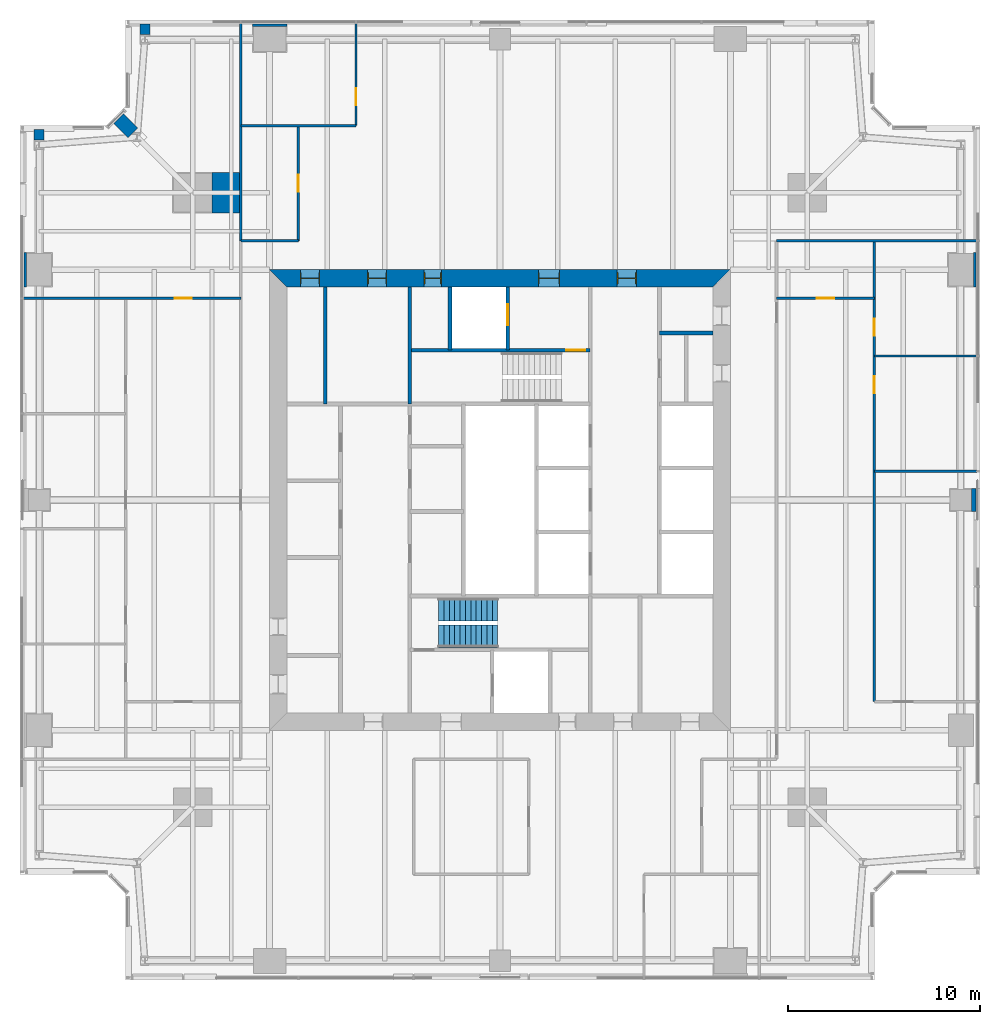
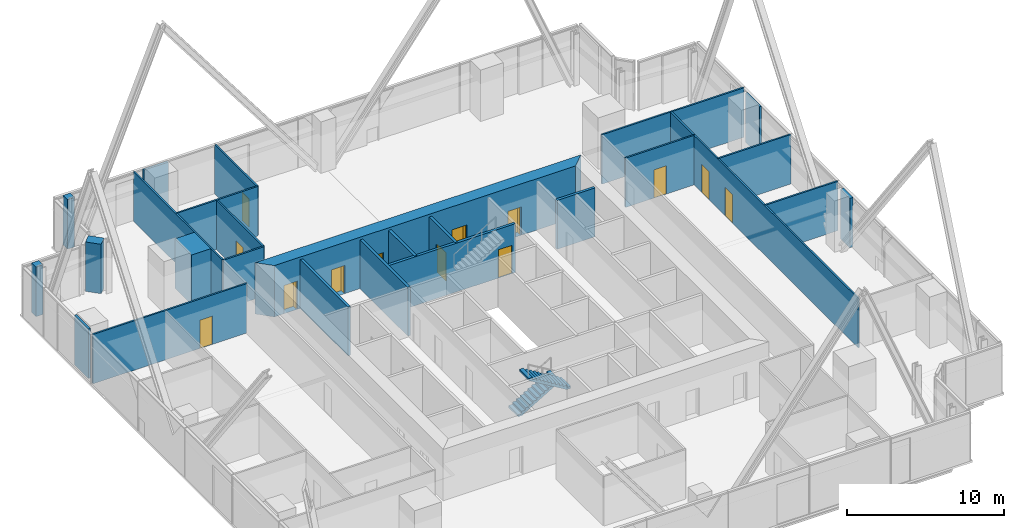
# One storey, part 11 of 14: 26 walls, 13 doors, 2 stair flights, 13 openings, 1 element without a shape of its own.
"""IFC4 building model written with IfcOpenShell, lengths in metres."""

from ifc_helpers import new_model, si_unit, direction, frame, frame_2d, origin, place, context, subcontext, project, spatial, polyline, rectangle, outline, extrude, material, layer, layer_set, type_object, element, fill, aggregate, save


model = new_model("IFC4")

# Units and contexts
model_context = context("Model", 3, precision=1e-05, world=origin(), true_north=direction((0.0, 1.0)))
body_context = subcontext(model_context, "Body", "Model", "MODEL_VIEW")
ifc_project = project(units=[si_unit("LENGTHUNIT", "METRE"), si_unit("AREAUNIT", "SQUARE_METRE"), si_unit("VOLUMEUNIT", "CUBIC_METRE"), si_unit("PLANEANGLEUNIT", "RADIAN"), si_unit("MASSUNIT", "GRAM", prefix="KILO")], contexts=[model_context])

# Site, building, storey
site_placement = place(None, origin())
site = spatial("IfcSite", under=ifc_project, at=site_placement, CompositionType="ELEMENT")
building_placement = place(site_placement, origin())
building = spatial("IfcBuilding", under=site, at=building_placement, Name="Fenwick Lantern Interchange", CompositionType="ELEMENT")
storey_placement = place(building_placement, frame((0.0, 0.0, 217.800048828125)))
storey = spatial("IfcBuildingStorey", under=building, at=storey_placement, Name="L51", CompositionType="ELEMENT", Elevation=217.800048828125)

# Walls
ifc_material_1 = material(Name="Fire-rated gypsum board encasement on steel studs, 2 hour", Category="steel")
ifc_layer_1 = layer(ifc_material_1, 1.199951171875)
ifc_layer_set_1 = layer_set([ifc_layer_1], Name="COLUMN PIER 1200")
wall_type_1 = type_object("IfcWallType", Name="COLUMN PIER 1200", PredefinedType="PARTITIONING", material=ifc_layer_set_1)
wall_1_placement = place(storey_placement, frame((49.800048828125, 25.0, 0.0), z_axis=(0.0, 0.0, 1.0), x_axis=(-1.0, 0.0, 0.0)))
element("IfcWall", 1, at=wall_1_placement, inside=storey, type_object=wall_type_1, Name="L51/W/PIER/CE3", PredefinedType="PARTITIONING", context=body_context, shape_type="SweptSolid", body=[
    extrude(rectangle(XDim=0.25, YDim=1.199951171875, at=frame_2d((0.125, 0.0))), origin(), (0.0, 0.0, 1.0), 3.849853515625),
])
ifc_layer_2 = layer(ifc_material_1, 1.800048828125)
ifc_layer_set_2 = layer_set([ifc_layer_2], Name="COLUMN PIER 1800")
wall_type_2 = type_object("IfcWallType", Name="COLUMN PIER 1800", PredefinedType="PARTITIONING", material=ifc_layer_set_2)
for number, where, z_axis, x_axis, name in (
    (2, (49.800048828125, 37.0, 0.0), (0.0, 0.0, 1.0), (-1.0, 0.0, 0.0), "L51/W/PIER/CE4"),
    (3, (13.0, 49.800048828125, 0.0), (0.0, 0.0, 1.0), (0.0, -1.0, 0.0), "L51/W/PIER/CN4"),
    (4, (0.199951171875, 37.0, 0.0), (0.0, 0.0, 1.0), (1.0, 0.0, 0.0), "L51/W/PIER/CW2"),
):
    element("IfcWall", number, at=place(storey_placement, frame(where, z_axis=z_axis, x_axis=x_axis)), inside=storey, type_object=wall_type_2, Name=name, PredefinedType="PARTITIONING", context=body_context, shape_type="SweptSolid", body=[
        extrude(rectangle(XDim=0.150146484375, YDim=1.800048828125, at=frame_2d((0.0751953125, 0.0))), origin(), (0.0, 0.0, 1.0), 3.849853515625),
    ])
ifc_layer_3 = layer(ifc_material_1, 2.10009765625)
ifc_layer_set_3 = layer_set([ifc_layer_3], Name="COLUMN PIER 2100")
wall_type_3 = type_object("IfcWallType", Name="COLUMN PIER 2100", PredefinedType="PARTITIONING", material=ifc_layer_set_3)
wall_2_placement = place(storey_placement, frame((11.4375, 41.0, 0.0), z_axis=(0.0, 0.0, 1.0), x_axis=(-1.0, 0.0, 0.0)))
element("IfcWall", 5, at=wall_2_placement, inside=storey, type_object=wall_type_3, Name="L51/W/PIER/M4", PredefinedType="PARTITIONING", context=body_context, shape_type="SweptSolid", body=[
    extrude(rectangle(XDim=1.4375, YDim=2.10009765625, at=frame_2d((0.71875, 0.0))), origin(), (0.0, 0.0, 1.0), 3.849853515625),
])
ifc_layer_4 = layer(ifc_material_1, 0.52392578125)
ifc_layer_set_4 = layer_set([ifc_layer_4], Name="COLUMN PIER 524")
wall_type_4 = type_object("IfcWallType", Name="COLUMN PIER 524", PredefinedType="PARTITIONING", material=ifc_layer_set_4)
for number, where, z_axis, x_axis, name in (
    (6, (6.5, 49.800048828125, 0.0), (0.0, 0.0, 1.0), (0.0, -1.0, 0.0), "L51/W/PIER/CN5"),
    (7, (1.0, 44.300048828125, 0.0), (0.0, 0.0, 1.0), (0.0, -1.0, 0.0), "L51/W/PIER/CW1"),
):
    element("IfcWall", number, at=place(storey_placement, frame(where, z_axis=z_axis, x_axis=x_axis)), inside=storey, type_object=wall_type_4, Name=name, PredefinedType="PARTITIONING", context=body_context, shape_type="SweptSolid", body=[
        extrude(rectangle(XDim=0.5625, YDim=0.52392578125, at=frame_2d((0.28125, 0.0))), origin(), (0.0, 0.0, 1.0), 3.849853515625),
    ])
ifc_layer_5 = layer(ifc_material_1, 0.736083984375)
ifc_layer_set_5 = layer_set([ifc_layer_5], Name="COLUMN PIER 736")
wall_type_5 = type_object("IfcWallType", Name="COLUMN PIER 736", PredefinedType="PARTITIONING", material=ifc_layer_set_5)
wall_3_placement = place(storey_placement, frame((5.141357421875, 44.858642578125, 0.0), z_axis=(0.0, 0.0, 1.0), x_axis=(0.707106781187, -0.707106781187, 0.0)))
element("IfcWall", 8, at=wall_3_placement, inside=storey, type_object=wall_type_5, Name="L51/W/PIER/CNR", PredefinedType="PARTITIONING", context=body_context, shape_type="SweptSolid", body=[
    extrude(rectangle(XDim=1.037841796875, YDim=0.736083984375, at=frame_2d((0.51904296875, 0.0))), origin(), (0.0, 0.0, 1.0), 3.849853515625),
])

# Wall, opening, door
ifc_material_2 = material(Name="Concrete masonry ASTM C90 Grade N", Category="masonry")
ifc_layer_6 = layer(ifc_material_2, 0.199951171875)
ifc_layer_set_6 = layer_set([ifc_layer_6], Name="Concrete masonry ASTM C90 Grade N")
wall_type_6 = type_object("IfcWallType", Name="CORE PARTITION 200", PredefinedType="PARTITIONING", material=ifc_layer_set_6)
wall_4_placement = place(storey_placement, frame((25.39990234375, 36.10009765625, 0.0), z_axis=(0.0, 0.0, 1.0), x_axis=(0.0, -1.0, 0.0)))
wall_4 = element("IfcWall", 9, at=wall_4_placement, inside=storey, type_object=wall_type_6, Name="L51/W/COREN/h1", PredefinedType="PARTITIONING", context=body_context, shape_type="SweptSolid", body=[
    extrude(rectangle(XDim=3.300048828125, YDim=0.199951171875, at=frame_2d((1.64990234375, 0.0))), origin(), (0.0, 0.0, 1.0), 3.800048828125),
])
opening_1_placement = place(wall_4_placement, frame((0.89990234375, 0.0, 0.0)))
opening_1 = element("IfcOpeningElement", 10, at=opening_1_placement, cuts=wall_4, Name="Opening LD-FL2", PredefinedType="OPENING", context=body_context, shape_type="SweptSolid", body=[
    extrude(rectangle(XDim=1.10009765625, YDim=2.199951171875, at=frame_2d((0.550048828125, 1.10009765625))), frame((0.0, 0.10986328125, 0.0), z_axis=(0.0, -1.0, 0.0), x_axis=(1.0, 0.0, 0.0)), (0.0, 0.0, 1.0), 0.219970703125),
])
ifc_material_3 = material(Name="Steel door and frame", Category="steel")
door_type_1 = type_object("IfcDoorType", Name="LIFT LANDING DOOR 1100 X 2200", OperationType="DOUBLE_DOOR_SLIDING", PredefinedType="DOOR", material=ifc_material_3)
door_1_placement = place(opening_1_placement, origin())
door_1 = element("IfcDoor", 11, at=door_1_placement, inside=storey, type_object=door_type_1, Name="Lift landing door FL2", OperationType="DOUBLE_DOOR_SLIDING", OverallHeight=2.199951171875, OverallWidth=1.10009765625, PredefinedType="DOOR", context=body_context, shape_type="SweptSolid", body=[
    extrude(rectangle(XDim=1.10009765625, YDim=2.199951171875, at=frame_2d((0.550048828125, 1.10009765625))), frame((0.0, 0.02490234375, 0.0), z_axis=(0.0, -1.0, 0.0), x_axis=(1.0, 0.0, 0.0)), (0.0, 0.0, 1.0), 0.050048828125),
])
fill(opening_1, door_1)

# Walls
wall_5_placement = place(storey_placement, frame((22.39990234375, 36.10009765625, 0.0), z_axis=(0.0, 0.0, 1.0), x_axis=(0.0, -1.0, 0.0)))
element("IfcWall", 12, at=wall_5_placement, inside=storey, type_object=wall_type_6, Name="L51/W/COREN/h2", PredefinedType="PARTITIONING", context=body_context, shape_type="SweptSolid", body=[
    extrude(rectangle(XDim=3.300048828125, YDim=0.199951171875, at=frame_2d((1.64990234375, 0.0))), origin(), (0.0, 0.0, 1.0), 3.800048828125),
])
wall_6_placement = place(storey_placement, frame((15.89990234375, 36.10009765625, 0.0), z_axis=(0.0, 0.0, 1.0), x_axis=(0.0, -1.0, 0.0)))
element("IfcWall", 13, at=wall_6_placement, inside=storey, type_object=wall_type_6, Name="L51/W/COREN/i2", PredefinedType="PARTITIONING", context=body_context, shape_type="SweptSolid", body=[
    extrude(rectangle(XDim=6.10009765625, YDim=0.199951171875, at=frame_2d((3.050048828125, 0.0))), origin(), (0.0, 0.0, 1.0), 3.800048828125),
])
wall_7_placement = place(storey_placement, frame((36.10009765625, 33.699951171875, 0.0), z_axis=(0.0, 0.0, 1.0), x_axis=(-1.0, 0.0, 0.0)))
element("IfcWall", 14, at=wall_7_placement, inside=storey, type_object=wall_type_6, Name="L51/W/COREN/p1", PredefinedType="PARTITIONING", context=body_context, shape_type="SweptSolid", body=[
    extrude(rectangle(XDim=2.800048828125, YDim=0.199951171875, at=frame_2d((1.39990234375, 0.0))), origin(), (0.0, 0.0, 1.0), 3.800048828125),
])

# Wall, openings, doors
ifc_material_4 = material(Name="Concrete f'c 70 MPa", Category="concrete")
ifc_layer_7 = layer(ifc_material_4, 0.89990234375)
ifc_layer_set_7 = layer_set([ifc_layer_7], Name="CORE WALL 900")
wall_type_7 = type_object("IfcWallType", Name="CORE WALL 900", PredefinedType="SHEAR", material=ifc_layer_set_7)
wall_8_placement = place(storey_placement, frame((37.0, 36.550048828125, 0.0), z_axis=(0.0, 0.0, 1.0), x_axis=(-1.0, 0.0, 0.0)))
wall_8 = element("IfcWall", 15, at=wall_8_placement, inside=storey, type_object=wall_type_7, Name="L51/CORE/N", PredefinedType="SHEAR", context=body_context, shape_type="SweptSolid", body=[
    extrude(outline(polyline([(0.0, -0.449951171875), (24.0, -0.449951171875), (23.10009765625, 0.449951171875), (0.89990234375, 0.449951171875), (0.0, -0.449951171875)])), origin(), (0.0, 0.0, 1.0), 4.0),
])
opening_2_placement = place(wall_8_placement, frame((4.89990234375, 0.0, 0.0)))
opening_2 = element("IfcOpeningElement", 16, at=opening_2_placement, cuts=wall_8, Name="Opening L51-D014", PredefinedType="OPENING", context=body_context, shape_type="SweptSolid", body=[
    extrude(rectangle(XDim=1.0, YDim=2.199951171875, at=frame_2d((0.5, 1.10009765625))), frame((0.0, 0.4599609375, 0.0), z_axis=(0.0, -1.0, 0.0), x_axis=(1.0, 0.0, 0.0)), (0.0, 0.0, 1.0), 0.919921875),
])
opening_3_placement = place(wall_8_placement, frame((8.89990234375, 0.0, 0.0)))
opening_3 = element("IfcOpeningElement", 17, at=opening_3_placement, cuts=wall_8, Name="Opening L51-D015", PredefinedType="OPENING", context=body_context, shape_type="SweptSolid", body=[
    extrude(rectangle(XDim=1.10009765625, YDim=2.199951171875, at=frame_2d((0.550048828125, 1.10009765625))), frame((0.0, 0.4599609375, 0.0), z_axis=(0.0, -1.0, 0.0), x_axis=(1.0, 0.0, 0.0)), (0.0, 0.0, 1.0), 0.919921875),
])
opening_4_placement = place(wall_8_placement, frame((15.050048828125, 0.0, 0.0)))
opening_4 = element("IfcOpeningElement", 18, at=opening_4_placement, cuts=wall_8, Name="Opening L51-D017", PredefinedType="OPENING", context=body_context, shape_type="SweptSolid", body=[
    extrude(rectangle(XDim=0.89990234375, YDim=2.199951171875, at=frame_2d((0.449951171875, 1.10009765625))), frame((0.0, 0.4599609375, 0.0), z_axis=(0.0, -1.0, 0.0), x_axis=(1.0, 0.0, 0.0)), (0.0, 0.0, 1.0), 0.919921875),
])
opening_5_placement = place(wall_8_placement, frame((17.89990234375, 0.0, 0.0)))
opening_5 = element("IfcOpeningElement", 19, at=opening_5_placement, cuts=wall_8, Name="Opening L51-D018", PredefinedType="OPENING", context=body_context, shape_type="SweptSolid", body=[
    extrude(rectangle(XDim=1.0, YDim=2.199951171875, at=frame_2d((0.5, 1.10009765625))), frame((0.0, 0.4599609375, 0.0), z_axis=(0.0, -1.0, 0.0), x_axis=(1.0, 0.0, 0.0)), (0.0, 0.0, 1.0), 0.919921875),
])
opening_6_placement = place(wall_8_placement, frame((21.39990234375, 0.0, 0.0)))
opening_6 = element("IfcOpeningElement", 20, at=opening_6_placement, cuts=wall_8, Name="Opening L51-D019", PredefinedType="OPENING", context=body_context, shape_type="SweptSolid", body=[
    extrude(rectangle(XDim=1.0, YDim=2.199951171875, at=frame_2d((0.5, 1.10009765625))), frame((0.0, 0.4599609375, 0.0), z_axis=(0.0, -1.0, 0.0), x_axis=(1.0, 0.0, 0.0)), (0.0, 0.0, 1.0), 0.919921875),
])
door_type_2 = type_object("IfcDoorType", Name="CORE LOBBY DOOR 1000 X 2200", OperationType="SINGLE_SWING_LEFT", PredefinedType="DOOR", material=ifc_material_3)
door_2_placement = place(opening_2_placement, frame((1.0, 0.0, 0.0), z_axis=(0.0, 0.0, 1.0), x_axis=(-1.0, 0.0, 0.0)))
door_2 = element("IfcDoor", 21, at=door_2_placement, inside=storey, type_object=door_type_2, Name="Core lobby door", OperationType="SINGLE_SWING_RIGHT", OverallHeight=2.199951171875, OverallWidth=1.0, PredefinedType="DOOR", context=body_context, shape_type="SweptSolid", body=[
    extrude(rectangle(XDim=1.0, YDim=2.199951171875, at=frame_2d((0.5, 1.10009765625))), frame((0.0, 0.02490234375, 0.0), z_axis=(0.0, -1.0, 0.0), x_axis=(1.0, 0.0, 0.0)), (0.0, 0.0, 1.0), 0.050048828125),
    extrude(outline(polyline([(0.0, 0.0), (0.0400390625, 0.0), (0.0400390625, 2.159912109375), (0.9599609375, 2.159912109375), (0.9599609375, 0.0), (1.0, 0.0), (1.0, 2.199951171875), (0.0, 2.199951171875), (0.0, 0.0)])), frame((0.0, 0.300048828125, 0.0), z_axis=(0.0, -1.0, 0.0), x_axis=(1.0, 0.0, 0.0)), (0.0, 0.0, 1.0), 0.60009765625),
])
fill(opening_2, door_2)
door_type_3 = type_object("IfcDoorType", Name="FIRE LOBBY DOOR 1100 X 2200", OperationType="SINGLE_SWING_LEFT", PredefinedType="DOOR", material=ifc_material_3)
door_3_placement = place(opening_3_placement, origin())
door_3 = element("IfcDoor", 22, at=door_3_placement, inside=storey, type_object=door_type_3, Name="Fire lobby door", OperationType="SINGLE_SWING_LEFT", OverallHeight=2.199951171875, OverallWidth=1.10009765625, PredefinedType="DOOR", context=body_context, shape_type="SweptSolid", body=[
    extrude(rectangle(XDim=1.10009765625, YDim=2.199951171875, at=frame_2d((0.550048828125, 1.10009765625))), frame((0.0, 0.02490234375, 0.0), z_axis=(0.0, -1.0, 0.0), x_axis=(1.0, 0.0, 0.0)), (0.0, 0.0, 1.0), 0.050048828125),
    extrude(outline(polyline([(0.0, 0.0), (0.0400390625, 0.0), (0.0400390625, 2.159912109375), (1.06005859375, 2.159912109375), (1.06005859375, 0.0), (1.10009765625, 0.0), (1.10009765625, 2.199951171875), (0.0, 2.199951171875), (0.0, 0.0)])), frame((0.0, 0.300048828125, 0.0), z_axis=(0.0, -1.0, 0.0), x_axis=(1.0, 0.0, 0.0)), (0.0, 0.0, 1.0), 0.60009765625),
])
fill(opening_3, door_3)
door_type_4 = type_object("IfcDoorType", Name="SERVICE DOOR 900 X 2200", OperationType="SINGLE_SWING_LEFT", PredefinedType="DOOR", material=ifc_material_3)
door_4_placement = place(opening_4_placement, origin())
door_4 = element("IfcDoor", 23, at=door_4_placement, inside=storey, type_object=door_type_4, Name="Service door", OperationType="SINGLE_SWING_LEFT", OverallHeight=2.199951171875, OverallWidth=0.89990234375, PredefinedType="DOOR", context=body_context, shape_type="SweptSolid", body=[
    extrude(rectangle(XDim=0.89990234375, YDim=2.199951171875, at=frame_2d((0.449951171875, 1.10009765625))), frame((0.0, 0.02490234375, 0.0), z_axis=(0.0, -1.0, 0.0), x_axis=(1.0, 0.0, 0.0)), (0.0, 0.0, 1.0), 0.050048828125),
    extrude(outline(polyline([(0.0, 0.0), (0.0400390625, 0.0), (0.0400390625, 2.159912109375), (0.85986328125, 2.159912109375), (0.85986328125, 0.0), (0.89990234375, 0.0), (0.89990234375, 2.199951171875), (0.0, 2.199951171875), (0.0, 0.0)])), frame((0.0, 0.300048828125, 0.0), z_axis=(0.0, -1.0, 0.0), x_axis=(1.0, 0.0, 0.0)), (0.0, 0.0, 1.0), 0.60009765625),
])
fill(opening_4, door_4)
ifc_material_5 = material(Name="Hardwood door and steel frame", Category="steel")
door_type_5 = type_object("IfcDoorType", Name="WC DOOR 1000 X 2200", OperationType="SINGLE_SWING_LEFT", PredefinedType="DOOR", material=ifc_material_5)
door_5_placement = place(opening_5_placement, origin())
door_5 = element("IfcDoor", 24, at=door_5_placement, inside=storey, type_object=door_type_5, Name="Wc door", OperationType="SINGLE_SWING_LEFT", OverallHeight=2.199951171875, OverallWidth=1.0, PredefinedType="DOOR", context=body_context, shape_type="SweptSolid", body=[
    extrude(rectangle(XDim=1.0, YDim=2.199951171875, at=frame_2d((0.5, 1.10009765625))), frame((0.0, 0.02490234375, 0.0), z_axis=(0.0, -1.0, 0.0), x_axis=(1.0, 0.0, 0.0)), (0.0, 0.0, 1.0), 0.050048828125),
    extrude(outline(polyline([(0.0, 0.0), (0.0400390625, 0.0), (0.0400390625, 2.159912109375), (0.9599609375, 2.159912109375), (0.9599609375, 0.0), (1.0, 0.0), (1.0, 2.199951171875), (0.0, 2.199951171875), (0.0, 0.0)])), frame((0.0, 0.300048828125, 0.0), z_axis=(0.0, -1.0, 0.0), x_axis=(1.0, 0.0, 0.0)), (0.0, 0.0, 1.0), 0.60009765625),
])
fill(opening_5, door_5)
door_6_placement = place(opening_6_placement, origin())
door_6 = element("IfcDoor", 25, at=door_6_placement, inside=storey, type_object=door_type_5, Name="Wc door", OperationType="SINGLE_SWING_LEFT", OverallHeight=2.199951171875, OverallWidth=1.0, PredefinedType="DOOR", context=body_context, shape_type="SweptSolid", body=[
    extrude(rectangle(XDim=1.0, YDim=2.199951171875, at=frame_2d((0.5, 1.10009765625))), frame((0.0, 0.02490234375, 0.0), z_axis=(0.0, -1.0, 0.0), x_axis=(1.0, 0.0, 0.0)), (0.0, 0.0, 1.0), 0.050048828125),
    extrude(outline(polyline([(0.0, 0.0), (0.0400390625, 0.0), (0.0400390625, 2.159912109375), (0.9599609375, 2.159912109375), (0.9599609375, 0.0), (1.0, 0.0), (1.0, 2.199951171875), (0.0, 2.199951171875), (0.0, 0.0)])), frame((0.0, 0.300048828125, 0.0), z_axis=(0.0, -1.0, 0.0), x_axis=(1.0, 0.0, 0.0)), (0.0, 0.0, 1.0), 0.60009765625),
])
fill(opening_6, door_6)

# Walls
ifc_material_6 = material(Name="Gypsum board on steel studs, acoustic", Category="steel")
ifc_layer_8 = layer(ifc_material_6, 0.125)
ifc_layer_set_8 = layer_set([ifc_layer_8], Name="OFFICE PARTITION 125")
wall_type_8 = type_object("IfcWallType", Name="OFFICE PARTITION 125", PredefinedType="PARTITIONING", material=ifc_layer_set_8)
for number, where, z_axis, x_axis, name in (
    (26, (49.85009765625, 26.5, 0.0), (0.0, 0.0, 1.0), (-1.0, 0.0, 0.0), "L51/W/OFF/E/X265-1"),
    (27, (49.85009765625, 32.5, 0.0), (0.0, 0.0, 1.0), (-1.0, 0.0, 0.0), "L51/W/OFF/E/X325-1"),
):
    element("IfcWall", number, at=place(storey_placement, frame(where, z_axis=z_axis, x_axis=x_axis)), inside=storey, type_object=wall_type_8, Name=name, PredefinedType="PARTITIONING", context=body_context, shape_type="SweptSolid", body=[
        extrude(rectangle(XDim=5.35009765625, YDim=0.125, at=frame_2d((2.675048828125, 0.0))), origin(), (0.0, 0.0, 1.0), 3.849853515625),
    ])

# Wall, opening, door
wall_9_placement = place(storey_placement, frame((44.5, 35.5, 0.0), z_axis=(0.0, 0.0, 1.0), x_axis=(-1.0, 0.0, 0.0)))
wall_9 = element("IfcWall", 28, at=wall_9_placement, inside=storey, type_object=wall_type_8, Name="L51/W/OFF/E/X355-1", PredefinedType="PARTITIONING", context=body_context, shape_type="SweptSolid", body=[
    extrude(rectangle(XDim=5.10009765625, YDim=0.125, at=frame_2d((2.550048828125, 0.0))), origin(), (0.0, 0.0, 1.0), 3.849853515625),
])
opening_7_placement = place(wall_9_placement, frame((2.10009765625, 0.0, 0.0)))
opening_7 = element("IfcOpeningElement", 29, at=opening_7_placement, cuts=wall_9, Name="Opening L51-D031", PredefinedType="OPENING", context=body_context, shape_type="SweptSolid", body=[
    extrude(rectangle(XDim=0.89990234375, YDim=2.199951171875, at=frame_2d((0.449951171875, 1.10009765625))), frame((0.0, 0.072509765625, 0.0), z_axis=(0.0, -1.0, 0.0), x_axis=(1.0, 0.0, 0.0)), (0.0, 0.0, 1.0), 0.14501953125),
])
door_type_6 = type_object("IfcDoorType", Name="OFFICE DOOR 900 X 2200", OperationType="SINGLE_SWING_LEFT", PredefinedType="DOOR", material=ifc_material_5)
door_7_placement = place(opening_7_placement, frame((0.89990234375, 0.0, 0.0), z_axis=(0.0, 0.0, 1.0), x_axis=(-1.0, 0.0, 0.0)))
door_7 = element("IfcDoor", 30, at=door_7_placement, inside=storey, type_object=door_type_6, Name="Office door", OperationType="SINGLE_SWING_RIGHT", OverallHeight=2.199951171875, OverallWidth=0.89990234375, PredefinedType="DOOR", context=body_context, shape_type="SweptSolid", body=[
    extrude(rectangle(XDim=0.89990234375, YDim=2.199951171875, at=frame_2d((0.449951171875, 1.10009765625))), frame((0.0, 0.02490234375, 0.0), z_axis=(0.0, -1.0, 0.0), x_axis=(1.0, 0.0, 0.0)), (0.0, 0.0, 1.0), 0.050048828125),
])
fill(opening_7, door_7)

# Wall, openings, doors
wall_10_placement = place(storey_placement, frame((44.5, 14.5, 0.0), z_axis=(0.0, 0.0, 1.0), x_axis=(0.0, 1.0, 0.0)))
wall_10 = element("IfcWall", 31, at=wall_10_placement, inside=storey, type_object=wall_type_8, Name="L51/W/OFF/E/Y55-1", PredefinedType="PARTITIONING", context=body_context, shape_type="SweptSolid", body=[
    extrude(rectangle(XDim=24.0, YDim=0.125, at=frame_2d((12.0, 0.0))), origin(), (0.0, 0.0, 1.0), 3.849853515625),
])
opening_8_placement = place(wall_10_placement, frame((16.050048828125, 0.0, 0.0)))
opening_8 = element("IfcOpeningElement", 32, at=opening_8_placement, cuts=wall_10, Name="Opening L51-D029", PredefinedType="OPENING", context=body_context, shape_type="SweptSolid", body=[
    extrude(rectangle(XDim=0.89990234375, YDim=2.199951171875, at=frame_2d((0.449951171875, 1.10009765625))), frame((0.0, 0.072509765625, 0.0), z_axis=(0.0, -1.0, 0.0), x_axis=(1.0, 0.0, 0.0)), (0.0, 0.0, 1.0), 0.14501953125),
])
opening_9_placement = place(wall_10_placement, frame((19.050048828125, 0.0, 0.0)))
opening_9 = element("IfcOpeningElement", 33, at=opening_9_placement, cuts=wall_10, Name="Opening L51-D030", PredefinedType="OPENING", context=body_context, shape_type="SweptSolid", body=[
    extrude(rectangle(XDim=0.89990234375, YDim=2.199951171875, at=frame_2d((0.449951171875, 1.10009765625))), frame((0.0, 0.072509765625, 0.0), z_axis=(0.0, -1.0, 0.0), x_axis=(1.0, 0.0, 0.0)), (0.0, 0.0, 1.0), 0.14501953125),
])
door_8_placement = place(opening_8_placement, frame((0.89990234375, 0.0, 0.0), z_axis=(0.0, 0.0, 1.0), x_axis=(-1.0, 0.0, 0.0)))
door_8 = element("IfcDoor", 34, at=door_8_placement, inside=storey, type_object=door_type_6, Name="Office door", OperationType="SINGLE_SWING_LEFT", OverallHeight=2.199951171875, OverallWidth=0.89990234375, PredefinedType="DOOR", context=body_context, shape_type="SweptSolid", body=[
    extrude(rectangle(XDim=0.89990234375, YDim=2.199951171875, at=frame_2d((0.449951171875, 1.10009765625))), frame((0.0, 0.02490234375, 0.0), z_axis=(0.0, -1.0, 0.0), x_axis=(1.0, 0.0, 0.0)), (0.0, 0.0, 1.0), 0.050048828125),
])
fill(opening_8, door_8)
door_9_placement = place(opening_9_placement, frame((0.89990234375, 0.0, 0.0), z_axis=(0.0, 0.0, 1.0), x_axis=(-1.0, 0.0, 0.0)))
door_9 = element("IfcDoor", 35, at=door_9_placement, inside=storey, type_object=door_type_6, Name="Office door", OperationType="SINGLE_SWING_RIGHT", OverallHeight=2.199951171875, OverallWidth=0.89990234375, PredefinedType="DOOR", context=body_context, shape_type="SweptSolid", body=[
    extrude(rectangle(XDim=0.89990234375, YDim=2.199951171875, at=frame_2d((0.449951171875, 1.10009765625))), frame((0.0, 0.02490234375, 0.0), z_axis=(0.0, -1.0, 0.0), x_axis=(1.0, 0.0, 0.0)), (0.0, 0.0, 1.0), 0.050048828125),
])
fill(opening_9, door_9)

# Wall
wall_11_placement = place(storey_placement, frame((49.85009765625, 38.5, 0.0), z_axis=(0.0, 0.0, 1.0), x_axis=(-1.0, 0.0, 0.0)))
element("IfcWall", 36, at=wall_11_placement, inside=storey, type_object=wall_type_8, Name="L51/W/OFF/N/BACK", PredefinedType="PARTITIONING", context=body_context, shape_type="SweptSolid", body=[
    extrude(rectangle(XDim=10.4501953125, YDim=0.125, at=frame_2d((5.22509765625, 0.0))), origin(), (0.0, 0.0, 1.0), 3.849853515625),
])

# Wall, opening, door
wall_12_placement = place(storey_placement, frame((17.5, 49.85009765625, 0.0), z_axis=(0.0, 0.0, 1.0), x_axis=(0.0, -1.0, 0.0)))
wall_12 = element("IfcWall", 37, at=wall_12_placement, inside=storey, type_object=wall_type_8, Name="L51/W/OFF/N/X325-1", PredefinedType="PARTITIONING", context=body_context, shape_type="SweptSolid", body=[
    extrude(rectangle(XDim=5.35009765625, YDim=0.125, at=frame_2d((2.675048828125, 0.0))), origin(), (0.0, 0.0, 1.0), 3.849853515625),
])
opening_10_placement = place(wall_12_placement, frame((3.39990234375, 0.0, 0.0)))
opening_10 = element("IfcOpeningElement", 38, at=opening_10_placement, cuts=wall_12, Name="Opening L51-D032", PredefinedType="OPENING", context=body_context, shape_type="SweptSolid", body=[
    extrude(rectangle(XDim=0.89990234375, YDim=2.199951171875, at=frame_2d((0.449951171875, 1.10009765625))), frame((0.0, 0.072509765625, 0.0), z_axis=(0.0, -1.0, 0.0), x_axis=(1.0, 0.0, 0.0)), (0.0, 0.0, 1.0), 0.14501953125),
])
door_10_placement = place(opening_10_placement, frame((0.89990234375, 0.0, 0.0), z_axis=(0.0, 0.0, 1.0), x_axis=(-1.0, 0.0, 0.0)))
door_10 = element("IfcDoor", 39, at=door_10_placement, inside=storey, type_object=door_type_6, Name="Office door", OperationType="SINGLE_SWING_LEFT", OverallHeight=2.199951171875, OverallWidth=0.89990234375, PredefinedType="DOOR", context=body_context, shape_type="SweptSolid", body=[
    extrude(rectangle(XDim=0.89990234375, YDim=2.199951171875, at=frame_2d((0.449951171875, 1.10009765625))), frame((0.0, 0.02490234375, 0.0), z_axis=(0.0, -1.0, 0.0), x_axis=(1.0, 0.0, 0.0)), (0.0, 0.0, 1.0), 0.050048828125),
])
fill(opening_10, door_10)

wall_13_placement = place(storey_placement, frame((14.5, 44.5, 0.0), z_axis=(0.0, 0.0, 1.0), x_axis=(0.0, -1.0, 0.0)))
wall_13 = element("IfcWall", 40, at=wall_13_placement, inside=storey, type_object=wall_type_8, Name="L51/W/OFF/N/X355-1", PredefinedType="PARTITIONING", context=body_context, shape_type="SweptSolid", body=[
    extrude(rectangle(XDim=6.0, YDim=0.125, at=frame_2d((3.0, 0.0))), origin(), (0.0, 0.0, 1.0), 3.849853515625),
])
opening_11_placement = place(wall_13_placement, frame((2.550048828125, 0.0, 0.0)))
opening_11 = element("IfcOpeningElement", 41, at=opening_11_placement, cuts=wall_13, Name="Opening L51-D033", PredefinedType="OPENING", context=body_context, shape_type="SweptSolid", body=[
    extrude(rectangle(XDim=0.89990234375, YDim=2.199951171875, at=frame_2d((0.449951171875, 1.10009765625))), frame((0.0, 0.072509765625, 0.0), z_axis=(0.0, -1.0, 0.0), x_axis=(1.0, 0.0, 0.0)), (0.0, 0.0, 1.0), 0.14501953125),
])
door_11_placement = place(opening_11_placement, frame((0.89990234375, 0.0, 0.0), z_axis=(0.0, 0.0, 1.0), x_axis=(-1.0, 0.0, 0.0)))
door_11 = element("IfcDoor", 42, at=door_11_placement, inside=storey, type_object=door_type_6, Name="Office door", OperationType="SINGLE_SWING_RIGHT", OverallHeight=2.199951171875, OverallWidth=0.89990234375, PredefinedType="DOOR", context=body_context, shape_type="SweptSolid", body=[
    extrude(rectangle(XDim=0.89990234375, YDim=2.199951171875, at=frame_2d((0.449951171875, 1.10009765625))), frame((0.0, 0.02490234375, 0.0), z_axis=(0.0, -1.0, 0.0), x_axis=(1.0, 0.0, 0.0)), (0.0, 0.0, 1.0), 0.050048828125),
])
fill(opening_11, door_11)

# Walls
wall_14_placement = place(storey_placement, frame((17.5, 44.5, 0.0), z_axis=(0.0, 0.0, 1.0), x_axis=(-1.0, 0.0, 0.0)))
element("IfcWall", 43, at=wall_14_placement, inside=storey, type_object=wall_type_8, Name="L51/W/OFF/N/Y55-1", PredefinedType="PARTITIONING", context=body_context, shape_type="SweptSolid", body=[
    extrude(rectangle(XDim=6.0, YDim=0.125, at=frame_2d((3.0, 0.0))), origin(), (0.0, 0.0, 1.0), 3.849853515625),
])
wall_15_placement = place(storey_placement, frame((14.5, 38.5, 0.0), z_axis=(0.0, 0.0, 1.0), x_axis=(-1.0, 0.0, 0.0)))
element("IfcWall", 44, at=wall_15_placement, inside=storey, type_object=wall_type_8, Name="L51/W/OFF/N/CWS1", PredefinedType="PARTITIONING", context=body_context, shape_type="SweptSolid", body=[
    extrude(rectangle(XDim=3.0, YDim=0.125, at=frame_2d((1.5, 0.0))), origin(), (0.0, 0.0, 1.0), 3.849853515625),
])
wall_16_placement = place(storey_placement, frame((11.5, 49.85009765625, 0.0), z_axis=(0.0, 0.0, 1.0), x_axis=(0.0, -1.0, 0.0)))
element("IfcWall", 45, at=wall_16_placement, inside=storey, type_object=wall_type_8, Name="L51/W/OFF/W/BACK", PredefinedType="PARTITIONING", context=body_context, shape_type="SweptSolid", body=[
    extrude(rectangle(XDim=11.35009765625, YDim=0.125, at=frame_2d((5.675048828125, 0.0))), origin(), (0.0, 0.0, 1.0), 3.849853515625),
])

# Wall, opening, door
wall_17_placement = place(storey_placement, frame((0.14990234375, 35.5, 0.0), z_axis=(0.0, 0.0, 1.0), x_axis=(1.0, 0.0, 0.0)))
wall_17 = element("IfcWall", 46, at=wall_17_placement, inside=storey, type_object=wall_type_8, Name="L51/W/OFF/W/X145-1", PredefinedType="PARTITIONING", context=body_context, shape_type="SweptSolid", body=[
    extrude(rectangle(XDim=11.35009765625, YDim=0.125, at=frame_2d((5.675048828125, 0.0))), origin(), (0.0, 0.0, 1.0), 3.849853515625),
])
opening_12_placement = place(wall_17_placement, frame((7.89990234375, 0.0, 0.0)))
opening_12 = element("IfcOpeningElement", 47, at=opening_12_placement, cuts=wall_17, Name="Opening L51-D035", PredefinedType="OPENING", context=body_context, shape_type="SweptSolid", body=[
    extrude(rectangle(XDim=0.89990234375, YDim=2.199951171875, at=frame_2d((0.449951171875, 1.10009765625))), frame((0.0, 0.072509765625, 0.0), z_axis=(0.0, -1.0, 0.0), x_axis=(1.0, 0.0, 0.0)), (0.0, 0.0, 1.0), 0.14501953125),
])
door_12_placement = place(opening_12_placement, origin())
door_12 = element("IfcDoor", 48, at=door_12_placement, inside=storey, type_object=door_type_6, Name="Office door", OperationType="SINGLE_SWING_RIGHT", OverallHeight=2.199951171875, OverallWidth=0.89990234375, PredefinedType="DOOR", context=body_context, shape_type="SweptSolid", body=[
    extrude(rectangle(XDim=0.89990234375, YDim=2.199951171875, at=frame_2d((0.449951171875, 1.10009765625))), frame((0.0, 0.02490234375, 0.0), z_axis=(0.0, -1.0, 0.0), x_axis=(1.0, 0.0, 0.0)), (0.0, 0.0, 1.0), 0.050048828125),
])
fill(opening_12, door_12)

ifc_material_7 = material(Name="Concrete f'c 45 MPa", Category="concrete")
ifc_layer_9 = layer(ifc_material_7, 0.199951171875)
ifc_layer_set_9 = layer_set([ifc_layer_9], Name="STAIR CORE WALL 200")
wall_type_9 = type_object("IfcWallType", Name="STAIR CORE WALL 200", PredefinedType="SOLIDWALL", material=ifc_layer_set_9)
wall_18_placement = place(storey_placement, frame((29.699951171875, 32.800048828125, 0.0), z_axis=(0.0, 0.0, 1.0), x_axis=(-1.0, 0.0, 0.0)))
wall_18 = element("IfcWall", 49, at=wall_18_placement, inside=storey, type_object=wall_type_9, Name="L51/W/COREN/g1", PredefinedType="SOLIDWALL", context=body_context, shape_type="SweptSolid", body=[
    extrude(rectangle(XDim=9.39990234375, YDim=0.199951171875, at=frame_2d((4.699951171875, 0.0))), origin(), (0.0, 0.0, 1.0), 3.800048828125),
])
opening_13_placement = place(wall_18_placement, frame((0.25, 0.0, 0.0)))
opening_13 = element("IfcOpeningElement", 50, at=opening_13_placement, cuts=wall_18, Name="Opening L51-D016", PredefinedType="OPENING", context=body_context, shape_type="SweptSolid", body=[
    extrude(rectangle(XDim=1.0, YDim=2.199951171875, at=frame_2d((0.5, 1.10009765625))), frame((0.0, 0.10986328125, 0.0), z_axis=(0.0, -1.0, 0.0), x_axis=(1.0, 0.0, 0.0)), (0.0, 0.0, 1.0), 0.219970703125),
])
door_type_7 = type_object("IfcDoorType", Name="STAIR DOOR 1000 X 2200", OperationType="SINGLE_SWING_LEFT", PredefinedType="DOOR", material=ifc_material_3)
door_13_placement = place(opening_13_placement, origin())
door_13 = element("IfcDoor", 51, at=door_13_placement, inside=storey, type_object=door_type_7, Name="Stair door", OperationType="SINGLE_SWING_LEFT", OverallHeight=2.199951171875, OverallWidth=1.0, PredefinedType="DOOR", context=body_context, shape_type="SweptSolid", body=[
    extrude(rectangle(XDim=1.0, YDim=2.199951171875, at=frame_2d((0.5, 1.10009765625))), frame((0.0, 0.02490234375, 0.0), z_axis=(0.0, -1.0, 0.0), x_axis=(1.0, 0.0, 0.0)), (0.0, 0.0, 1.0), 0.050048828125),
])
fill(opening_13, door_13)

# Wall
wall_19_placement = place(storey_placement, frame((20.300048828125, 36.10009765625, 0.0), z_axis=(0.0, 0.0, 1.0), x_axis=(0.0, -1.0, 0.0)))
element("IfcWall", 52, at=wall_19_placement, inside=storey, type_object=wall_type_9, Name="L51/W/COREN/i1", PredefinedType="SOLIDWALL", context=body_context, shape_type="SweptSolid", body=[
    extrude(rectangle(XDim=6.10009765625, YDim=0.199951171875, at=frame_2d((3.050048828125, 0.0))), origin(), (0.0, 0.0, 1.0), 3.800048828125),
])

# Stair, stair flights
ifc_material_8 = material(Name="Precast concrete f'c 35 MPa", Category="concrete")
stair_type = type_object("IfcStairType", Name="EXIT STAIR 1200", PredefinedType="HALF_TURN_STAIR", material=ifc_material_8)
stair_placement = place(storey_placement, origin())
stair = element("IfcStair", 53, at=stair_placement, inside=storey, type_object=stair_type, Name="Exit stair ST1", PredefinedType="HALF_TURN_STAIR")
stair_flight_type = type_object("IfcStairFlightType", Name="STAIR FLIGHT 1200", PredefinedType="STRAIGHT", material=ifc_material_8)
stair_flight_1_placement = place(storey_placement, frame((21.800048828125, 19.300048828125, 0.0), z_axis=(0.0, 0.0, 1.0), x_axis=(1.0, 0.0, 0.0)))
stair_flight_1 = element("IfcStairFlight", 54, at=stair_flight_1_placement, type_object=stair_flight_type, Name="ST1 flight 1", NumberOfRisers=12, NumberOfTreads=11, PredefinedType="STRAIGHT", RiserHeight=0.166666667, TreadLength=0.28, context=body_context, shape_type="SweptSolid", body=[
    extrude(outline(polyline([(0.0, 0.0), (0.0, 0.166748046875), (0.280029296875, 0.166748046875), (0.280029296875, 0.333251953125), (0.56005859375, 0.333251953125), (0.56005859375, 0.5), (0.840087890625, 0.5), (0.840087890625, 0.666748046875), (1.1201171875, 0.666748046875), (1.1201171875, 0.833251953125), (1.39990234375, 0.833251953125), (1.39990234375, 1.0), (1.679931640625, 1.0), (1.679931640625, 1.166748046875), (1.9599609375, 1.166748046875), (1.9599609375, 1.333251953125), (2.239990234375, 1.333251953125), (2.239990234375, 1.5), (2.52001953125, 1.5), (2.52001953125, 1.666748046875), (2.800048828125, 1.666748046875), (2.800048828125, 1.833251953125), (3.080078125, 1.833251953125), (3.080078125, 2.0), (3.080078125, 1.658935546875), (0.29296875, 0.0), (0.0, 0.0)])), frame((0.0, 0.60009765625, 0.0), z_axis=(0.0, -1.0, 0.0), x_axis=(1.0, 0.0, 0.0)), (0.0, 0.0, 1.0), 1.199951171875),
])
stair_flight_2_placement = place(storey_placement, frame((24.8798828125, 17.89990234375, 2.0), z_axis=(0.0, 0.0, 1.0), x_axis=(-1.0, 0.0, 0.0)))
stair_flight_2 = element("IfcStairFlight", 55, at=stair_flight_2_placement, type_object=stair_flight_type, Name="ST1 flight 2", NumberOfRisers=12, NumberOfTreads=11, PredefinedType="STRAIGHT", RiserHeight=0.166666667, TreadLength=0.28, context=body_context, shape_type="SweptSolid", body=[
    extrude(outline(polyline([(0.0, 0.0), (0.0, 0.166748046875), (0.280029296875, 0.166748046875), (0.280029296875, 0.333251953125), (0.56005859375, 0.333251953125), (0.56005859375, 0.5), (0.840087890625, 0.5), (0.840087890625, 0.666748046875), (1.1201171875, 0.666748046875), (1.1201171875, 0.833251953125), (1.39990234375, 0.833251953125), (1.39990234375, 1.0), (1.679931640625, 1.0), (1.679931640625, 1.166748046875), (1.9599609375, 1.166748046875), (1.9599609375, 1.333251953125), (2.239990234375, 1.333251953125), (2.239990234375, 1.5), (2.52001953125, 1.5), (2.52001953125, 1.666748046875), (2.800048828125, 1.666748046875), (2.800048828125, 1.833251953125), (3.080078125, 1.833251953125), (3.080078125, 2.0), (3.080078125, 1.658935546875), (0.29296875, 0.0), (0.0, 0.0)])), frame((0.0, 0.60009765625, 0.0), z_axis=(0.0, -1.0, 0.0), x_axis=(1.0, 0.0, 0.0)), (0.0, 0.0, 1.0), 1.199951171875),
])
aggregate(stair, [stair_flight_1, stair_flight_2])

save(model, "model.ifc")
